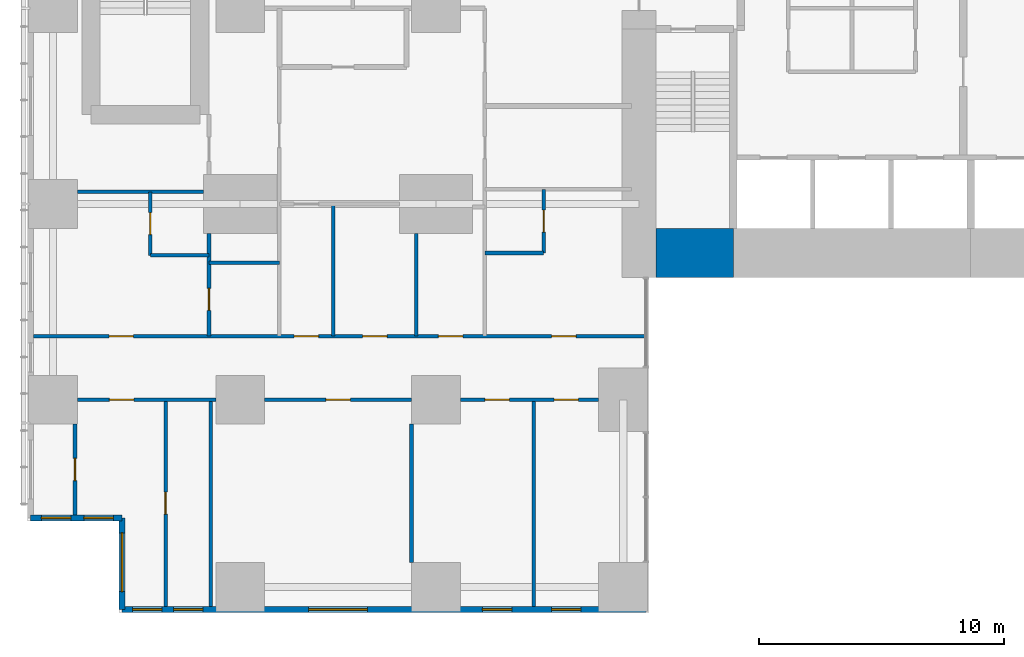
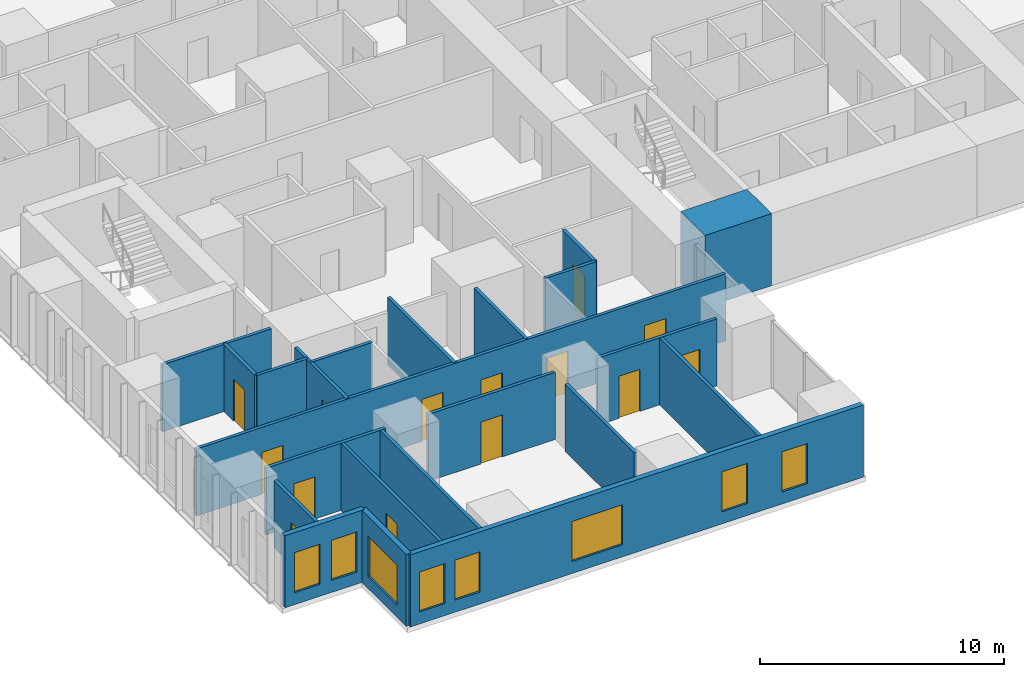
# One storey, part 12 of 20: 22 walls, 14 doors, 8 windows, 22 openings.
"""IFC4 building model written with IfcOpenShell, lengths in metres."""

from ifc_helpers import new_model, si_unit, direction, frame, frame_2d, origin, place, context, subcontext, project, spatial, rectangle, extrude, material, layer, layer_set, type_object, element, fill, save


model = new_model("IFC4")

# Units and contexts
model_context = context("Model", 3, precision=1e-05, world=origin(), true_north=direction((0.0, 1.0)))
body_context = subcontext(model_context, "Body", "Model", "MODEL_VIEW")
ifc_project = project(units=[si_unit("LENGTHUNIT", "METRE"), si_unit("AREAUNIT", "SQUARE_METRE"), si_unit("VOLUMEUNIT", "CUBIC_METRE"), si_unit("PLANEANGLEUNIT", "RADIAN"), si_unit("MASSUNIT", "GRAM", prefix="KILO")], contexts=[model_context])

# Site, building, storey
site_placement = place(None, origin())
site = spatial("IfcSite", under=ifc_project, at=site_placement, CompositionType="ELEMENT")
building_placement = place(site_placement, origin())
building = spatial("IfcBuilding", under=site, at=building_placement, Name="Cleftline Residences", CompositionType="ELEMENT")
storey_placement = place(building_placement, frame((0.0, 0.0, 80.0)))
storey = spatial("IfcBuildingStorey", under=building, at=storey_placement, Name="L20", CompositionType="ELEMENT", Elevation=80.0)

# Wall
ifc_material_1 = material(Name="Concrete B70", Category="concrete")
ifc_layer_1 = layer(ifc_material_1, 2.0)
ifc_layer_set_1 = layer_set([ifc_layer_1], Name="CORE WALL 2000")
wall_type_1 = type_object("IfcWallType", Name="CORE WALL 2000", PredefinedType="SHEAR", material=ifc_layer_set_1)
wall_1_placement = place(storey_placement, frame((25.0, 14.0, 0.0), z_axis=(0.0, 0.0, 1.0), x_axis=(1.0, 0.0, 0.0)))
element("IfcWall", 1, at=wall_1_placement, inside=storey, type_object=wall_type_1, Name="Core wall S1", PredefinedType="SHEAR", context=body_context, shape_type="SweptSolid", body=[
    extrude(rectangle(XDim=3.14990234375, YDim=2.0, at=frame_2d((1.574951171875, 0.0))), origin(), (0.0, 0.0, 1.0), 3.60009765625),
])

# Wall, openings, windows
ifc_material_2 = material(Name="Rendered reinforced concrete blockwork", Category="masonry")
ifc_layer_2 = layer(ifc_material_2, 0.25)
ifc_layer_set_2 = layer_set([ifc_layer_2], Name="EXTERNAL WALL 250")
wall_type_2 = type_object("IfcWallType", Name="EXTERNAL WALL 250", PredefinedType="SOLIDWALL", material=ifc_layer_set_2)
wall_2_placement = place(storey_placement, frame((-0.574951171875, 3.175048828125, 0.0), z_axis=(0.0, 0.0, 1.0), x_axis=(1.0, 0.0, 0.0)))
wall_2 = element("IfcWall", 2, at=wall_2_placement, inside=storey, type_object=wall_type_2, Name="External wall", PredefinedType="SOLIDWALL", context=body_context, shape_type="SweptSolid", body=[
    extrude(rectangle(XDim=3.75, YDim=0.25, at=frame_2d((1.875, 0.0))), origin(), (0.0, 0.0, 1.0), 3.60009765625),
])
opening_1_placement = place(wall_2_placement, frame((0.449951171875, 0.0, 0.60009765625)))
opening_1 = element("IfcOpeningElement", 3, at=opening_1_placement, cuts=wall_2, Name="Opening W8", PredefinedType="OPENING", context=body_context, shape_type="SweptSolid", body=[
    extrude(rectangle(XDim=1.199951171875, YDim=2.0, at=frame_2d((0.60009765625, 1.0))), frame((0.0, 0.135009765625, 0.0), z_axis=(0.0, -1.0, 0.0), x_axis=(1.0, 0.0, 0.0)), (0.0, 0.0, 1.0), 0.27001953125),
])
opening_2_placement = place(wall_2_placement, frame((2.1875, 0.0, 0.60009765625)))
opening_2 = element("IfcOpeningElement", 4, at=opening_2_placement, cuts=wall_2, Name="Opening W8", PredefinedType="OPENING", context=body_context, shape_type="SweptSolid", body=[
    extrude(rectangle(XDim=1.199951171875, YDim=2.0, at=frame_2d((0.60009765625, 1.0))), frame((0.0, 0.135009765625, 0.0), z_axis=(0.0, -1.0, 0.0), x_axis=(1.0, 0.0, 0.0)), (0.0, 0.0, 1.0), 0.27001953125),
])
ifc_material_3 = material(Name="Aluminium frame, clear double glazing", Category="aluminium")
window_type_1 = type_object("IfcWindowType", Name="WINDOW 1200X2000", PartitioningType="DOUBLE_PANEL_VERTICAL", PredefinedType="WINDOW", material=ifc_material_3)
window_1_placement = place(opening_1_placement, origin())
window_1 = element("IfcWindow", 5, at=window_1_placement, inside=storey, type_object=window_type_1, Name="Window", OverallHeight=2.0, OverallWidth=1.199951171875, PartitioningType="SINGLE_PANEL", PredefinedType="WINDOW", context=body_context, shape_type="SweptSolid", body=[
    extrude(rectangle(XDim=1.199951171875, YDim=2.0, at=frame_2d((0.60009765625, 1.0))), frame((0.0, 0.030029296875, 0.0), z_axis=(0.0, -1.0, 0.0), x_axis=(1.0, 0.0, 0.0)), (0.0, 0.0, 1.0), 0.06005859375),
])
fill(opening_1, window_1)
window_2_placement = place(opening_2_placement, origin())
window_2 = element("IfcWindow", 6, at=window_2_placement, inside=storey, type_object=window_type_1, Name="Window", OverallHeight=2.0, OverallWidth=1.199951171875, PartitioningType="SINGLE_PANEL", PredefinedType="WINDOW", context=body_context, shape_type="SweptSolid", body=[
    extrude(rectangle(XDim=1.199951171875, YDim=2.0, at=frame_2d((0.60009765625, 1.0))), frame((0.0, 0.030029296875, 0.0), z_axis=(0.0, -1.0, 0.0), x_axis=(1.0, 0.0, 0.0)), (0.0, 0.0, 1.0), 0.06005859375),
])
fill(opening_2, window_2)

# Wall, opening, window
wall_3_placement = place(storey_placement, frame((3.175048828125, 3.175048828125, 0.0), z_axis=(0.0, 0.0, 1.0), x_axis=(0.0, -1.0, 0.0)))
wall_3 = element("IfcWall", 7, at=wall_3_placement, inside=storey, type_object=wall_type_2, Name="External wall", PredefinedType="SOLIDWALL", context=body_context, shape_type="SweptSolid", body=[
    extrude(rectangle(XDim=3.75, YDim=0.25, at=frame_2d((1.875, 0.0))), origin(), (0.0, 0.0, 1.0), 3.60009765625),
])
opening_3_placement = place(wall_3_placement, frame((0.612548828125, 0.0, 0.60009765625)))
opening_3 = element("IfcOpeningElement", 8, at=opening_3_placement, cuts=wall_3, Name="Opening W6", PredefinedType="OPENING", context=body_context, shape_type="SweptSolid", body=[
    extrude(rectangle(XDim=2.39990234375, YDim=2.0, at=frame_2d((1.199951171875, 1.0))), frame((0.0, 0.135009765625, 0.0), z_axis=(0.0, -1.0, 0.0), x_axis=(1.0, 0.0, 0.0)), (0.0, 0.0, 1.0), 0.27001953125),
])
ifc_material_4 = material(Name="Aluminium frame, clear double glazing", Category="aluminium")
window_type_2 = type_object("IfcWindowType", Name="WINDOW 2400X2000", PartitioningType="DOUBLE_PANEL_VERTICAL", PredefinedType="WINDOW", material=ifc_material_4)
window_3_placement = place(opening_3_placement, origin())
window_3 = element("IfcWindow", 9, at=window_3_placement, inside=storey, type_object=window_type_2, Name="Window", OverallHeight=2.0, OverallWidth=2.39990234375, PartitioningType="SINGLE_PANEL", PredefinedType="WINDOW", context=body_context, shape_type="SweptSolid", body=[
    extrude(rectangle(XDim=2.39990234375, YDim=2.0, at=frame_2d((1.199951171875, 1.0))), frame((0.0, 0.030029296875, 0.0), z_axis=(0.0, -1.0, 0.0), x_axis=(1.0, 0.0, 0.0)), (0.0, 0.0, 1.0), 0.06005859375),
])
fill(opening_3, window_3)

# Wall, openings, windows
wall_4_placement = place(storey_placement, frame((3.175048828125, -0.574951171875, 0.0), z_axis=(0.0, 0.0, 1.0), x_axis=(1.0, 0.0, 0.0)))
wall_4 = element("IfcWall", 10, at=wall_4_placement, inside=storey, type_object=wall_type_2, Name="External wall", PredefinedType="SOLIDWALL", context=body_context, shape_type="SweptSolid", body=[
    extrude(rectangle(XDim=21.39990234375, YDim=0.25, at=frame_2d((10.699951171875, 0.0))), origin(), (0.0, 0.0, 1.0), 3.60009765625),
])
opening_4_placement = place(wall_4_placement, frame((0.425048828125, 0.0, 0.60009765625)))
opening_4 = element("IfcOpeningElement", 11, at=opening_4_placement, cuts=wall_4, Name="Opening W8", PredefinedType="OPENING", context=body_context, shape_type="SweptSolid", body=[
    extrude(rectangle(XDim=1.199951171875, YDim=2.0, at=frame_2d((0.60009765625, 1.0))), frame((0.0, 0.135009765625, 0.0), z_axis=(0.0, -1.0, 0.0), x_axis=(1.0, 0.0, 0.0)), (0.0, 0.0, 1.0), 0.27001953125),
])
opening_5_placement = place(wall_4_placement, frame((2.10009765625, 0.0, 0.60009765625)))
opening_5 = element("IfcOpeningElement", 12, at=opening_5_placement, cuts=wall_4, Name="Opening W8", PredefinedType="OPENING", context=body_context, shape_type="SweptSolid", body=[
    extrude(rectangle(XDim=1.199951171875, YDim=2.0, at=frame_2d((0.60009765625, 1.0))), frame((0.0, 0.135009765625, 0.0), z_axis=(0.0, -1.0, 0.0), x_axis=(1.0, 0.0, 0.0)), (0.0, 0.0, 1.0), 0.27001953125),
])
opening_6_placement = place(wall_4_placement, frame((7.625, 0.0, 0.60009765625)))
opening_6 = element("IfcOpeningElement", 13, at=opening_6_placement, cuts=wall_4, Name="Opening W6", PredefinedType="OPENING", context=body_context, shape_type="SweptSolid", body=[
    extrude(rectangle(XDim=2.39990234375, YDim=2.0, at=frame_2d((1.199951171875, 1.0))), frame((0.0, 0.135009765625, 0.0), z_axis=(0.0, -1.0, 0.0), x_axis=(1.0, 0.0, 0.0)), (0.0, 0.0, 1.0), 0.27001953125),
])
opening_7_placement = place(wall_4_placement, frame((14.72509765625, 0.0, 0.60009765625)))
opening_7 = element("IfcOpeningElement", 14, at=opening_7_placement, cuts=wall_4, Name="Opening W8", PredefinedType="OPENING", context=body_context, shape_type="SweptSolid", body=[
    extrude(rectangle(XDim=1.199951171875, YDim=2.0, at=frame_2d((0.60009765625, 1.0))), frame((0.0, 0.135009765625, 0.0), z_axis=(0.0, -1.0, 0.0), x_axis=(1.0, 0.0, 0.0)), (0.0, 0.0, 1.0), 0.27001953125),
])
opening_8_placement = place(wall_4_placement, frame((17.550048828125, 0.0, 0.60009765625)))
opening_8 = element("IfcOpeningElement", 15, at=opening_8_placement, cuts=wall_4, Name="Opening W8", PredefinedType="OPENING", context=body_context, shape_type="SweptSolid", body=[
    extrude(rectangle(XDim=1.199951171875, YDim=2.0, at=frame_2d((0.60009765625, 1.0))), frame((0.0, 0.135009765625, 0.0), z_axis=(0.0, -1.0, 0.0), x_axis=(1.0, 0.0, 0.0)), (0.0, 0.0, 1.0), 0.27001953125),
])
window_4_placement = place(opening_4_placement, origin())
window_4 = element("IfcWindow", 16, at=window_4_placement, inside=storey, type_object=window_type_1, Name="Window", OverallHeight=2.0, OverallWidth=1.199951171875, PartitioningType="SINGLE_PANEL", PredefinedType="WINDOW", context=body_context, shape_type="SweptSolid", body=[
    extrude(rectangle(XDim=1.199951171875, YDim=2.0, at=frame_2d((0.60009765625, 1.0))), frame((0.0, 0.030029296875, 0.0), z_axis=(0.0, -1.0, 0.0), x_axis=(1.0, 0.0, 0.0)), (0.0, 0.0, 1.0), 0.06005859375),
])
fill(opening_4, window_4)
window_5_placement = place(opening_5_placement, origin())
window_5 = element("IfcWindow", 17, at=window_5_placement, inside=storey, type_object=window_type_1, Name="Window", OverallHeight=2.0, OverallWidth=1.199951171875, PartitioningType="SINGLE_PANEL", PredefinedType="WINDOW", context=body_context, shape_type="SweptSolid", body=[
    extrude(rectangle(XDim=1.199951171875, YDim=2.0, at=frame_2d((0.60009765625, 1.0))), frame((0.0, 0.030029296875, 0.0), z_axis=(0.0, -1.0, 0.0), x_axis=(1.0, 0.0, 0.0)), (0.0, 0.0, 1.0), 0.06005859375),
])
fill(opening_5, window_5)
window_6_placement = place(opening_7_placement, origin())
window_6 = element("IfcWindow", 18, at=window_6_placement, inside=storey, type_object=window_type_1, Name="Window", OverallHeight=2.0, OverallWidth=1.199951171875, PartitioningType="SINGLE_PANEL", PredefinedType="WINDOW", context=body_context, shape_type="SweptSolid", body=[
    extrude(rectangle(XDim=1.199951171875, YDim=2.0, at=frame_2d((0.60009765625, 1.0))), frame((0.0, 0.030029296875, 0.0), z_axis=(0.0, -1.0, 0.0), x_axis=(1.0, 0.0, 0.0)), (0.0, 0.0, 1.0), 0.06005859375),
])
fill(opening_7, window_6)
window_7_placement = place(opening_8_placement, origin())
window_7 = element("IfcWindow", 19, at=window_7_placement, inside=storey, type_object=window_type_1, Name="Window", OverallHeight=2.0, OverallWidth=1.199951171875, PartitioningType="SINGLE_PANEL", PredefinedType="WINDOW", context=body_context, shape_type="SweptSolid", body=[
    extrude(rectangle(XDim=1.199951171875, YDim=2.0, at=frame_2d((0.60009765625, 1.0))), frame((0.0, 0.030029296875, 0.0), z_axis=(0.0, -1.0, 0.0), x_axis=(1.0, 0.0, 0.0)), (0.0, 0.0, 1.0), 0.06005859375),
])
fill(opening_8, window_7)
window_8_placement = place(opening_6_placement, origin())
window_8 = element("IfcWindow", 20, at=window_8_placement, inside=storey, type_object=window_type_2, Name="Window", OverallHeight=2.0, OverallWidth=2.39990234375, PartitioningType="SINGLE_PANEL", PredefinedType="WINDOW", context=body_context, shape_type="SweptSolid", body=[
    extrude(rectangle(XDim=2.39990234375, YDim=2.0, at=frame_2d((1.199951171875, 1.0))), frame((0.0, 0.030029296875, 0.0), z_axis=(0.0, -1.0, 0.0), x_axis=(1.0, 0.0, 0.0)), (0.0, 0.0, 1.0), 0.06005859375),
])
fill(opening_6, window_8)

# Wall, opening, door
ifc_material_5 = material(Name="Gypsum board on steel studs", Category="steel")
ifc_layer_3 = layer(ifc_material_5, 0.14990234375)
ifc_layer_set_3 = layer_set([ifc_layer_3], Name="PARTITION 150")
wall_type_3 = type_object("IfcWallType", Name="PARTITION 150", PredefinedType="PARTITIONING", material=ifc_layer_set_3)
wall_5_placement = place(storey_placement, frame((1.35009765625, 8.0, 0.0), z_axis=(0.0, 0.0, 1.0), x_axis=(1.0, 0.0, 0.0)))
wall_5 = element("IfcWall", 21, at=wall_5_placement, inside=storey, type_object=wall_type_3, Name="Partition", PredefinedType="PARTITIONING", context=body_context, shape_type="SweptSolid", body=[
    extrude(rectangle(XDim=5.64990234375, YDim=0.14990234375, at=frame_2d((2.824951171875, 0.0))), origin(), (0.0, 0.0, 1.0), 3.35009765625),
])
opening_9_placement = place(wall_5_placement, frame((1.300048828125, 0.0, 0.0)))
opening_9 = element("IfcOpeningElement", 22, at=opening_9_placement, cuts=wall_5, Name="Opening D2", PredefinedType="OPENING", context=body_context, shape_type="SweptSolid", body=[
    extrude(rectangle(XDim=1.0, YDim=2.10009765625, at=frame_2d((0.5, 1.050048828125))), frame((0.0, 0.0849609375, 0.0), z_axis=(0.0, -1.0, 0.0), x_axis=(1.0, 0.0, 0.0)), (0.0, 0.0, 1.0), 0.169921875),
])
ifc_material_6 = material(Name="Timber veneer on solid core", Category="wood")
door_type_1 = type_object("IfcDoorType", Name="DOOR 1000X2100", OperationType="SINGLE_SWING_LEFT", PredefinedType="DOOR", material=ifc_material_6)
door_1_placement = place(opening_9_placement, origin())
door_1 = element("IfcDoor", 23, at=door_1_placement, inside=storey, type_object=door_type_1, Name="Door to bedroom 2", OperationType="SINGLE_SWING_RIGHT", OverallHeight=2.10009765625, OverallWidth=1.0, PredefinedType="DOOR", context=body_context, shape_type="SweptSolid", body=[
    extrude(rectangle(XDim=1.0, YDim=2.10009765625, at=frame_2d((0.5, 1.050048828125))), frame((0.0, 0.02490234375, 0.0), z_axis=(0.0, -1.0, 0.0), x_axis=(1.0, 0.0, 0.0)), (0.0, 0.0, 1.0), 0.050048828125),
])
fill(opening_9, door_1)

wall_6_placement = place(storey_placement, frame((9.0, 8.0, 0.0), z_axis=(0.0, 0.0, 1.0), x_axis=(1.0, 0.0, 0.0)))
wall_6 = element("IfcWall", 24, at=wall_6_placement, inside=storey, type_object=wall_type_3, Name="Partition", PredefinedType="PARTITIONING", context=body_context, shape_type="SweptSolid", body=[
    extrude(rectangle(XDim=6.0, YDim=0.14990234375, at=frame_2d((3.0, 0.0))), origin(), (0.0, 0.0, 1.0), 3.35009765625),
])
opening_10_placement = place(wall_6_placement, frame((2.5, 0.0, 0.0)))
opening_10 = element("IfcOpeningElement", 25, at=opening_10_placement, cuts=wall_6, Name="Opening D2", PredefinedType="OPENING", context=body_context, shape_type="SweptSolid", body=[
    extrude(rectangle(XDim=1.0, YDim=2.10009765625, at=frame_2d((0.5, 1.050048828125))), frame((0.0, 0.0849609375, 0.0), z_axis=(0.0, -1.0, 0.0), x_axis=(1.0, 0.0, 0.0)), (0.0, 0.0, 1.0), 0.169921875),
])
door_2_placement = place(opening_10_placement, origin())
door_2 = element("IfcDoor", 26, at=door_2_placement, inside=storey, type_object=door_type_1, Name="Door to living room", OperationType="SINGLE_SWING_LEFT", OverallHeight=2.10009765625, OverallWidth=1.0, PredefinedType="DOOR", context=body_context, shape_type="SweptSolid", body=[
    extrude(rectangle(XDim=1.0, YDim=2.10009765625, at=frame_2d((0.5, 1.050048828125))), frame((0.0, 0.02490234375, 0.0), z_axis=(0.0, -1.0, 0.0), x_axis=(1.0, 0.0, 0.0)), (0.0, 0.0, 1.0), 0.050048828125),
])
fill(opening_10, door_2)

# Wall, openings, doors
wall_7_placement = place(storey_placement, frame((17.0, 8.0, 0.0), z_axis=(0.0, 0.0, 1.0), x_axis=(1.0, 0.0, 0.0)))
wall_7 = element("IfcWall", 27, at=wall_7_placement, inside=storey, type_object=wall_type_3, Name="Partition", PredefinedType="PARTITIONING", context=body_context, shape_type="SweptSolid", body=[
    extrude(rectangle(XDim=5.64990234375, YDim=0.14990234375, at=frame_2d((2.824951171875, 0.0))), origin(), (0.0, 0.0, 1.0), 3.35009765625),
])
opening_11_placement = place(wall_7_placement, frame((1.0, 0.0, 0.0)))
opening_11 = element("IfcOpeningElement", 28, at=opening_11_placement, cuts=wall_7, Name="Opening D2", PredefinedType="OPENING", context=body_context, shape_type="SweptSolid", body=[
    extrude(rectangle(XDim=1.0, YDim=2.10009765625, at=frame_2d((0.5, 1.050048828125))), frame((0.0, 0.0849609375, 0.0), z_axis=(0.0, -1.0, 0.0), x_axis=(1.0, 0.0, 0.0)), (0.0, 0.0, 1.0), 0.169921875),
])
opening_12_placement = place(wall_7_placement, frame((3.824951171875, 0.0, 0.0)))
opening_12 = element("IfcOpeningElement", 29, at=opening_12_placement, cuts=wall_7, Name="Opening D2", PredefinedType="OPENING", context=body_context, shape_type="SweptSolid", body=[
    extrude(rectangle(XDim=1.0, YDim=2.10009765625, at=frame_2d((0.5, 1.050048828125))), frame((0.0, 0.0849609375, 0.0), z_axis=(0.0, -1.0, 0.0), x_axis=(1.0, 0.0, 0.0)), (0.0, 0.0, 1.0), 0.169921875),
])
door_3_placement = place(opening_11_placement, origin())
door_3 = element("IfcDoor", 30, at=door_3_placement, inside=storey, type_object=door_type_1, Name="Door to dining room", OperationType="SINGLE_SWING_RIGHT", OverallHeight=2.10009765625, OverallWidth=1.0, PredefinedType="DOOR", context=body_context, shape_type="SweptSolid", body=[
    extrude(rectangle(XDim=1.0, YDim=2.10009765625, at=frame_2d((0.5, 1.050048828125))), frame((0.0, 0.02490234375, 0.0), z_axis=(0.0, -1.0, 0.0), x_axis=(1.0, 0.0, 0.0)), (0.0, 0.0, 1.0), 0.050048828125),
])
fill(opening_11, door_3)
door_4_placement = place(opening_12_placement, origin())
door_4 = element("IfcDoor", 31, at=door_4_placement, inside=storey, type_object=door_type_1, Name="Door to show kitchen", OperationType="SINGLE_SWING_LEFT", OverallHeight=2.10009765625, OverallWidth=1.0, PredefinedType="DOOR", context=body_context, shape_type="SweptSolid", body=[
    extrude(rectangle(XDim=1.0, YDim=2.10009765625, at=frame_2d((0.5, 1.050048828125))), frame((0.0, 0.02490234375, 0.0), z_axis=(0.0, -1.0, 0.0), x_axis=(1.0, 0.0, 0.0)), (0.0, 0.0, 1.0), 0.050048828125),
])
fill(opening_12, door_4)

wall_8_placement = place(storey_placement, frame((-0.449951171875, 10.60009765625, 0.0), z_axis=(0.0, 0.0, 1.0), x_axis=(1.0, 0.0, 0.0)))
wall_8 = element("IfcWall", 32, at=wall_8_placement, inside=storey, type_object=wall_type_3, Name="Partition", PredefinedType="PARTITIONING", context=body_context, shape_type="SweptSolid", body=[
    extrude(rectangle(XDim=25.010986328125, YDim=0.14990234375, at=frame_2d((12.50537109375, 0.0))), origin(), (0.0, 0.0, 1.0), 3.35009765625),
])
opening_13_placement = place(wall_8_placement, frame((10.64990234375, 0.0, 0.0)))
opening_13 = element("IfcOpeningElement", 33, at=opening_13_placement, cuts=wall_8, Name="Opening D2", PredefinedType="OPENING", context=body_context, shape_type="SweptSolid", body=[
    extrude(rectangle(XDim=1.0, YDim=2.10009765625, at=frame_2d((0.5, 1.050048828125))), frame((0.0, 0.0849609375, 0.0), z_axis=(0.0, -1.0, 0.0), x_axis=(1.0, 0.0, 0.0)), (0.0, 0.0, 1.0), 0.169921875),
])
opening_14_placement = place(wall_8_placement, frame((3.08740234375, 0.0, 0.0)))
opening_14 = element("IfcOpeningElement", 34, at=opening_14_placement, cuts=wall_8, Name="Opening D2", PredefinedType="OPENING", context=body_context, shape_type="SweptSolid", body=[
    extrude(rectangle(XDim=1.0, YDim=2.10009765625, at=frame_2d((0.5, 1.050048828125))), frame((0.0, 0.0849609375, 0.0), z_axis=(0.0, -1.0, 0.0), x_axis=(1.0, 0.0, 0.0)), (0.0, 0.0, 1.0), 0.169921875),
])
opening_15_placement = place(wall_8_placement, frame((13.449951171875, 0.0, 0.0)))
opening_15 = element("IfcOpeningElement", 35, at=opening_15_placement, cuts=wall_8, Name="Opening D2", PredefinedType="OPENING", context=body_context, shape_type="SweptSolid", body=[
    extrude(rectangle(XDim=1.0, YDim=2.10009765625, at=frame_2d((0.5, 1.050048828125))), frame((0.0, 0.0849609375, 0.0), z_axis=(0.0, -1.0, 0.0), x_axis=(1.0, 0.0, 0.0)), (0.0, 0.0, 1.0), 0.169921875),
])
opening_16_placement = place(wall_8_placement, frame((16.550048828125, 0.0, 0.0)))
opening_16 = element("IfcOpeningElement", 36, at=opening_16_placement, cuts=wall_8, Name="Opening D2", PredefinedType="OPENING", context=body_context, shape_type="SweptSolid", body=[
    extrude(rectangle(XDim=1.0, YDim=2.10009765625, at=frame_2d((0.5, 1.050048828125))), frame((0.0, 0.0849609375, 0.0), z_axis=(0.0, -1.0, 0.0), x_axis=(1.0, 0.0, 0.0)), (0.0, 0.0, 1.0), 0.169921875),
])
opening_17_placement = place(wall_8_placement, frame((21.175048828125, 0.0, 0.0)))
opening_17 = element("IfcOpeningElement", 37, at=opening_17_placement, cuts=wall_8, Name="Opening D2", PredefinedType="OPENING", context=body_context, shape_type="SweptSolid", body=[
    extrude(rectangle(XDim=1.0, YDim=2.10009765625, at=frame_2d((0.5, 1.050048828125))), frame((0.0, 0.0849609375, 0.0), z_axis=(0.0, -1.0, 0.0), x_axis=(1.0, 0.0, 0.0)), (0.0, 0.0, 1.0), 0.169921875),
])
door_5_placement = place(opening_13_placement, origin())
door_5 = element("IfcDoor", 38, at=door_5_placement, inside=storey, type_object=door_type_1, Name="Door to residence hall", OperationType="SINGLE_SWING_RIGHT", OverallHeight=2.10009765625, OverallWidth=1.0, PredefinedType="DOOR", context=body_context, shape_type="SweptSolid", body=[
    extrude(rectangle(XDim=1.0, YDim=2.10009765625, at=frame_2d((0.5, 1.050048828125))), frame((0.0, 0.02490234375, 0.0), z_axis=(0.0, -1.0, 0.0), x_axis=(1.0, 0.0, 0.0)), (0.0, 0.0, 1.0), 0.050048828125),
])
fill(opening_13, door_5)
door_6_placement = place(opening_14_placement, origin())
door_6 = element("IfcDoor", 39, at=door_6_placement, inside=storey, type_object=door_type_1, Name="Door to master bedroom", OperationType="SINGLE_SWING_RIGHT", OverallHeight=2.10009765625, OverallWidth=1.0, PredefinedType="DOOR", context=body_context, shape_type="SweptSolid", body=[
    extrude(rectangle(XDim=1.0, YDim=2.10009765625, at=frame_2d((0.5, 1.050048828125))), frame((0.0, 0.02490234375, 0.0), z_axis=(0.0, -1.0, 0.0), x_axis=(1.0, 0.0, 0.0)), (0.0, 0.0, 1.0), 0.050048828125),
])
fill(opening_14, door_6)
door_7_placement = place(opening_15_placement, origin())
door_7 = element("IfcDoor", 40, at=door_7_placement, inside=storey, type_object=door_type_1, Name="Door to family room", OperationType="SINGLE_SWING_LEFT", OverallHeight=2.10009765625, OverallWidth=1.0, PredefinedType="DOOR", context=body_context, shape_type="SweptSolid", body=[
    extrude(rectangle(XDim=1.0, YDim=2.10009765625, at=frame_2d((0.5, 1.050048828125))), frame((0.0, 0.02490234375, 0.0), z_axis=(0.0, -1.0, 0.0), x_axis=(1.0, 0.0, 0.0)), (0.0, 0.0, 1.0), 0.050048828125),
])
fill(opening_15, door_7)
door_8_placement = place(opening_16_placement, origin())
door_8 = element("IfcDoor", 41, at=door_8_placement, inside=storey, type_object=door_type_1, Name="Door to wet kitchen", OperationType="SINGLE_SWING_LEFT", OverallHeight=2.10009765625, OverallWidth=1.0, PredefinedType="DOOR", context=body_context, shape_type="SweptSolid", body=[
    extrude(rectangle(XDim=1.0, YDim=2.10009765625, at=frame_2d((0.5, 1.050048828125))), frame((0.0, 0.02490234375, 0.0), z_axis=(0.0, -1.0, 0.0), x_axis=(1.0, 0.0, 0.0)), (0.0, 0.0, 1.0), 0.050048828125),
])
fill(opening_16, door_8)
door_9_placement = place(opening_17_placement, origin())
door_9 = element("IfcDoor", 42, at=door_9_placement, inside=storey, type_object=door_type_1, Name="Door to bedroom 3", OperationType="SINGLE_SWING_LEFT", OverallHeight=2.10009765625, OverallWidth=1.0, PredefinedType="DOOR", context=body_context, shape_type="SweptSolid", body=[
    extrude(rectangle(XDim=1.0, YDim=2.10009765625, at=frame_2d((0.5, 1.050048828125))), frame((0.0, 0.02490234375, 0.0), z_axis=(0.0, -1.0, 0.0), x_axis=(1.0, 0.0, 0.0)), (0.0, 0.0, 1.0), 0.050048828125),
])
fill(opening_17, door_9)

# Walls
wall_9_placement = place(storey_placement, frame((6.72509765625, 13.60009765625, 0.0), z_axis=(0.0, 0.0, 1.0), x_axis=(1.0, 0.0, 0.0)))
element("IfcWall", 43, at=wall_9_placement, inside=storey, type_object=wall_type_3, Name="Partition", PredefinedType="PARTITIONING", context=body_context, shape_type="SweptSolid", body=[
    extrude(rectangle(XDim=2.875, YDim=0.14990234375, at=frame_2d((1.4375, 0.0))), origin(), (0.0, 0.0, 1.0), 3.35009765625),
])
wall_10_placement = place(storey_placement, frame((4.324951171875, 13.89990234375, 0.0), z_axis=(0.0, 0.0, 1.0), x_axis=(1.0, 0.0, 0.0)))
element("IfcWall", 44, at=wall_10_placement, inside=storey, type_object=wall_type_3, Name="Partition", PredefinedType="PARTITIONING", context=body_context, shape_type="SweptSolid", body=[
    extrude(rectangle(XDim=2.400146484375, YDim=0.14990234375, at=frame_2d((1.2001953125, 0.0))), origin(), (0.0, 0.0, 1.0), 3.35009765625),
])
wall_11_placement = place(storey_placement, frame((18.0, 14.0, 0.0), z_axis=(0.0, 0.0, 1.0), x_axis=(1.0, 0.0, 0.0)))
element("IfcWall", 45, at=wall_11_placement, inside=storey, type_object=wall_type_3, Name="Partition", PredefinedType="PARTITIONING", context=body_context, shape_type="SweptSolid", body=[
    extrude(rectangle(XDim=2.39990234375, YDim=0.14990234375, at=frame_2d((1.199951171875, 0.0))), origin(), (0.0, 0.0, 1.0), 3.35009765625),
])
wall_12_placement = place(storey_placement, frame((1.35009765625, 16.5, 0.0), z_axis=(0.0, 0.0, 1.0), x_axis=(1.0, 0.0, 0.0)))
element("IfcWall", 46, at=wall_12_placement, inside=storey, type_object=wall_type_3, Name="Partition", PredefinedType="PARTITIONING", context=body_context, shape_type="SweptSolid", body=[
    extrude(rectangle(XDim=5.14990234375, YDim=0.14990234375, at=frame_2d((2.574951171875, 0.0))), origin(), (0.0, 0.0, 1.0), 3.35009765625),
])

# Wall, opening, door
wall_13_placement = place(storey_placement, frame((1.25, 3.300048828125, 0.0), z_axis=(0.0, 0.0, 1.0), x_axis=(0.0, 1.0, 0.0)))
wall_13 = element("IfcWall", 47, at=wall_13_placement, inside=storey, type_object=wall_type_3, Name="Partition", PredefinedType="PARTITIONING", context=body_context, shape_type="SweptSolid", body=[
    extrude(rectangle(XDim=3.699951171875, YDim=0.14990234375, at=frame_2d((1.85009765625, 0.0))), origin(), (0.0, 0.0, 1.0), 3.35009765625),
])
opening_18_placement = place(wall_13_placement, frame((1.39990234375, 0.0, 0.0)))
opening_18 = element("IfcOpeningElement", 48, at=opening_18_placement, cuts=wall_13, Name="Opening D1", PredefinedType="OPENING", context=body_context, shape_type="SweptSolid", body=[
    extrude(rectangle(XDim=0.89990234375, YDim=2.10009765625, at=frame_2d((0.449951171875, 1.050048828125))), frame((0.0, 0.0849609375, 0.0), z_axis=(0.0, -1.0, 0.0), x_axis=(1.0, 0.0, 0.0)), (0.0, 0.0, 1.0), 0.169921875),
])
ifc_material_7 = material(Name="Timber veneer on solid core", Category="wood")
door_type_2 = type_object("IfcDoorType", Name="DOOR 900X2100", OperationType="SINGLE_SWING_LEFT", PredefinedType="DOOR", material=ifc_material_7)
door_10_placement = place(opening_18_placement, origin())
door_10 = element("IfcDoor", 49, at=door_10_placement, inside=storey, type_object=door_type_2, Name="Door to walk-in wardrobe", OperationType="SINGLE_SWING_LEFT", OverallHeight=2.10009765625, OverallWidth=0.89990234375, PredefinedType="DOOR", context=body_context, shape_type="SweptSolid", body=[
    extrude(rectangle(XDim=0.89990234375, YDim=2.10009765625, at=frame_2d((0.449951171875, 1.050048828125))), frame((0.0, 0.02490234375, 0.0), z_axis=(0.0, -1.0, 0.0), x_axis=(1.0, 0.0, 0.0)), (0.0, 0.0, 1.0), 0.050048828125),
])
fill(opening_18, door_10)

wall_14_placement = place(storey_placement, frame((4.324951171875, 13.89990234375, 0.0), z_axis=(0.0, 0.0, 1.0), x_axis=(0.0, 1.0, 0.0)))
wall_14 = element("IfcWall", 50, at=wall_14_placement, inside=storey, type_object=wall_type_3, Name="Partition", PredefinedType="PARTITIONING", context=body_context, shape_type="SweptSolid", body=[
    extrude(rectangle(XDim=2.60009765625, YDim=0.14990234375, at=frame_2d((1.300048828125, 0.0))), origin(), (0.0, 0.0, 1.0), 3.35009765625),
])
opening_19_placement = place(wall_14_placement, frame((0.85009765625, 0.0, 0.0)))
opening_19 = element("IfcOpeningElement", 51, at=opening_19_placement, cuts=wall_14, Name="Opening D1", PredefinedType="OPENING", context=body_context, shape_type="SweptSolid", body=[
    extrude(rectangle(XDim=0.89990234375, YDim=2.10009765625, at=frame_2d((0.449951171875, 1.050048828125))), frame((0.0, 0.0849609375, 0.0), z_axis=(0.0, -1.0, 0.0), x_axis=(1.0, 0.0, 0.0)), (0.0, 0.0, 1.0), 0.169921875),
])
door_11_placement = place(opening_19_placement, origin())
door_11 = element("IfcDoor", 52, at=door_11_placement, inside=storey, type_object=door_type_2, Name="Door to master bathroom", OperationType="SINGLE_SWING_LEFT", OverallHeight=2.10009765625, OverallWidth=0.89990234375, PredefinedType="DOOR", context=body_context, shape_type="SweptSolid", body=[
    extrude(rectangle(XDim=0.89990234375, YDim=2.10009765625, at=frame_2d((0.449951171875, 1.050048828125))), frame((0.0, 0.02490234375, 0.0), z_axis=(0.0, -1.0, 0.0), x_axis=(1.0, 0.0, 0.0)), (0.0, 0.0, 1.0), 0.050048828125),
])
fill(opening_19, door_11)

wall_15_placement = place(storey_placement, frame((4.949951171875, -0.449951171875, 0.0), z_axis=(0.0, 0.0, 1.0), x_axis=(0.0, 1.0, 0.0)))
wall_15 = element("IfcWall", 53, at=wall_15_placement, inside=storey, type_object=wall_type_3, Name="Partition", PredefinedType="PARTITIONING", context=body_context, shape_type="SweptSolid", body=[
    extrude(rectangle(XDim=8.449951171875, YDim=0.14990234375, at=frame_2d((4.22509765625, 0.0))), origin(), (0.0, 0.0, 1.0), 3.35009765625),
])
opening_20_placement = place(wall_15_placement, frame((3.77490234375, 0.0, 0.0)))
opening_20 = element("IfcOpeningElement", 54, at=opening_20_placement, cuts=wall_15, Name="Opening D1", PredefinedType="OPENING", context=body_context, shape_type="SweptSolid", body=[
    extrude(rectangle(XDim=0.89990234375, YDim=2.10009765625, at=frame_2d((0.449951171875, 1.050048828125))), frame((0.0, 0.0849609375, 0.0), z_axis=(0.0, -1.0, 0.0), x_axis=(1.0, 0.0, 0.0)), (0.0, 0.0, 1.0), 0.169921875),
])
door_12_placement = place(opening_20_placement, origin())
door_12 = element("IfcDoor", 55, at=door_12_placement, inside=storey, type_object=door_type_2, Name="Door to en-suite bathroom 2", OperationType="SINGLE_SWING_LEFT", OverallHeight=2.10009765625, OverallWidth=0.89990234375, PredefinedType="DOOR", context=body_context, shape_type="SweptSolid", body=[
    extrude(rectangle(XDim=0.89990234375, YDim=2.10009765625, at=frame_2d((0.449951171875, 1.050048828125))), frame((0.0, 0.02490234375, 0.0), z_axis=(0.0, -1.0, 0.0), x_axis=(1.0, 0.0, 0.0)), (0.0, 0.0, 1.0), 0.050048828125),
])
fill(opening_20, door_12)

wall_16_placement = place(storey_placement, frame((6.72509765625, 10.60009765625, 0.0), z_axis=(0.0, 0.0, 1.0), x_axis=(0.0, 1.0, 0.0)))
wall_16 = element("IfcWall", 56, at=wall_16_placement, inside=storey, type_object=wall_type_3, Name="Partition", PredefinedType="PARTITIONING", context=body_context, shape_type="SweptSolid", body=[
    extrude(rectangle(XDim=4.199951171875, YDim=0.14990234375, at=frame_2d((2.10009765625, 0.0))), origin(), (0.0, 0.0, 1.0), 3.35009765625),
])
opening_21_placement = place(wall_16_placement, frame((1.050048828125, 0.0, 0.0)))
opening_21 = element("IfcOpeningElement", 57, at=opening_21_placement, cuts=wall_16, Name="Opening D1", PredefinedType="OPENING", context=body_context, shape_type="SweptSolid", body=[
    extrude(rectangle(XDim=0.89990234375, YDim=2.10009765625, at=frame_2d((0.449951171875, 1.050048828125))), frame((0.0, 0.0849609375, 0.0), z_axis=(0.0, -1.0, 0.0), x_axis=(1.0, 0.0, 0.0)), (0.0, 0.0, 1.0), 0.169921875),
])
door_13_placement = place(opening_21_placement, origin())
door_13 = element("IfcDoor", 58, at=door_13_placement, inside=storey, type_object=door_type_2, Name="Door to master dressing room", OperationType="SINGLE_SWING_RIGHT", OverallHeight=2.10009765625, OverallWidth=0.89990234375, PredefinedType="DOOR", context=body_context, shape_type="SweptSolid", body=[
    extrude(rectangle(XDim=0.89990234375, YDim=2.10009765625, at=frame_2d((0.449951171875, 1.050048828125))), frame((0.0, 0.02490234375, 0.0), z_axis=(0.0, -1.0, 0.0), x_axis=(1.0, 0.0, 0.0)), (0.0, 0.0, 1.0), 0.050048828125),
])
fill(opening_21, door_13)

# Walls
wall_17_placement = place(storey_placement, frame((6.800048828125, -0.449951171875, 0.0), z_axis=(0.0, 0.0, 1.0), x_axis=(0.0, 1.0, 0.0)))
element("IfcWall", 59, at=wall_17_placement, inside=storey, type_object=wall_type_3, Name="Partition", PredefinedType="PARTITIONING", context=body_context, shape_type="SweptSolid", body=[
    extrude(rectangle(XDim=8.449951171875, YDim=0.14990234375, at=frame_2d((4.22509765625, 0.0))), origin(), (0.0, 0.0, 1.0), 3.35009765625),
])
wall_18_placement = place(storey_placement, frame((11.800048828125, 10.60009765625, 0.0), z_axis=(0.0, 0.0, 1.0), x_axis=(0.0, 1.0, 0.0)))
element("IfcWall", 60, at=wall_18_placement, inside=storey, type_object=wall_type_3, Name="Partition", PredefinedType="PARTITIONING", context=body_context, shape_type="SweptSolid", body=[
    extrude(rectangle(XDim=5.39990234375, YDim=0.14990234375, at=frame_2d((2.699951171875, 0.0))), origin(), (0.0, 0.0, 1.0), 3.35009765625),
])
wall_19_placement = place(storey_placement, frame((15.0, 1.35009765625, 0.0), z_axis=(0.0, 0.0, 1.0), x_axis=(0.0, 1.0, 0.0)))
element("IfcWall", 61, at=wall_19_placement, inside=storey, type_object=wall_type_3, Name="Partition", PredefinedType="PARTITIONING", context=body_context, shape_type="SweptSolid", body=[
    extrude(rectangle(XDim=5.64990234375, YDim=0.14990234375, at=frame_2d((2.824951171875, 0.0))), origin(), (0.0, 0.0, 1.0), 3.35009765625),
])
wall_20_placement = place(storey_placement, frame((15.199951171875, 10.60009765625, 0.0), z_axis=(0.0, 0.0, 1.0), x_axis=(0.0, 1.0, 0.0)))
element("IfcWall", 62, at=wall_20_placement, inside=storey, type_object=wall_type_3, Name="Partition", PredefinedType="PARTITIONING", context=body_context, shape_type="SweptSolid", body=[
    extrude(rectangle(XDim=4.199951171875, YDim=0.14990234375, at=frame_2d((2.10009765625, 0.0))), origin(), (0.0, 0.0, 1.0), 3.35009765625),
])
wall_21_placement = place(storey_placement, frame((20.0, -0.449951171875, 0.0), z_axis=(0.0, 0.0, 1.0), x_axis=(0.0, 1.0, 0.0)))
element("IfcWall", 63, at=wall_21_placement, inside=storey, type_object=wall_type_3, Name="Partition", PredefinedType="PARTITIONING", context=body_context, shape_type="SweptSolid", body=[
    extrude(rectangle(XDim=8.449951171875, YDim=0.14990234375, at=frame_2d((4.22509765625, 0.0))), origin(), (0.0, 0.0, 1.0), 3.35009765625),
])

# Wall, opening, door
wall_22_placement = place(storey_placement, frame((20.39990234375, 14.0, 0.0), z_axis=(0.0, 0.0, 1.0), x_axis=(0.0, 1.0, 0.0)))
wall_22 = element("IfcWall", 64, at=wall_22_placement, inside=storey, type_object=wall_type_3, Name="Partition", PredefinedType="PARTITIONING", context=body_context, shape_type="SweptSolid", body=[
    extrude(rectangle(XDim=2.60009765625, YDim=0.14990234375, at=frame_2d((1.300048828125, 0.0))), origin(), (0.0, 0.0, 1.0), 3.35009765625),
])
opening_22_placement = place(wall_22_placement, frame((0.85009765625, 0.0, 0.0)))
opening_22 = element("IfcOpeningElement", 65, at=opening_22_placement, cuts=wall_22, Name="Opening D1", PredefinedType="OPENING", context=body_context, shape_type="SweptSolid", body=[
    extrude(rectangle(XDim=0.89990234375, YDim=2.10009765625, at=frame_2d((0.449951171875, 1.050048828125))), frame((0.0, 0.0849609375, 0.0), z_axis=(0.0, -1.0, 0.0), x_axis=(1.0, 0.0, 0.0)), (0.0, 0.0, 1.0), 0.169921875),
])
door_14_placement = place(opening_22_placement, origin())
door_14 = element("IfcDoor", 66, at=door_14_placement, inside=storey, type_object=door_type_2, Name="Door to en-suite bathroom 3", OperationType="SINGLE_SWING_LEFT", OverallHeight=2.10009765625, OverallWidth=0.89990234375, PredefinedType="DOOR", context=body_context, shape_type="SweptSolid", body=[
    extrude(rectangle(XDim=0.89990234375, YDim=2.10009765625, at=frame_2d((0.449951171875, 1.050048828125))), frame((0.0, 0.02490234375, 0.0), z_axis=(0.0, -1.0, 0.0), x_axis=(1.0, 0.0, 0.0)), (0.0, 0.0, 1.0), 0.050048828125),
])
fill(opening_22, door_14)

save(model, "model.ifc")
